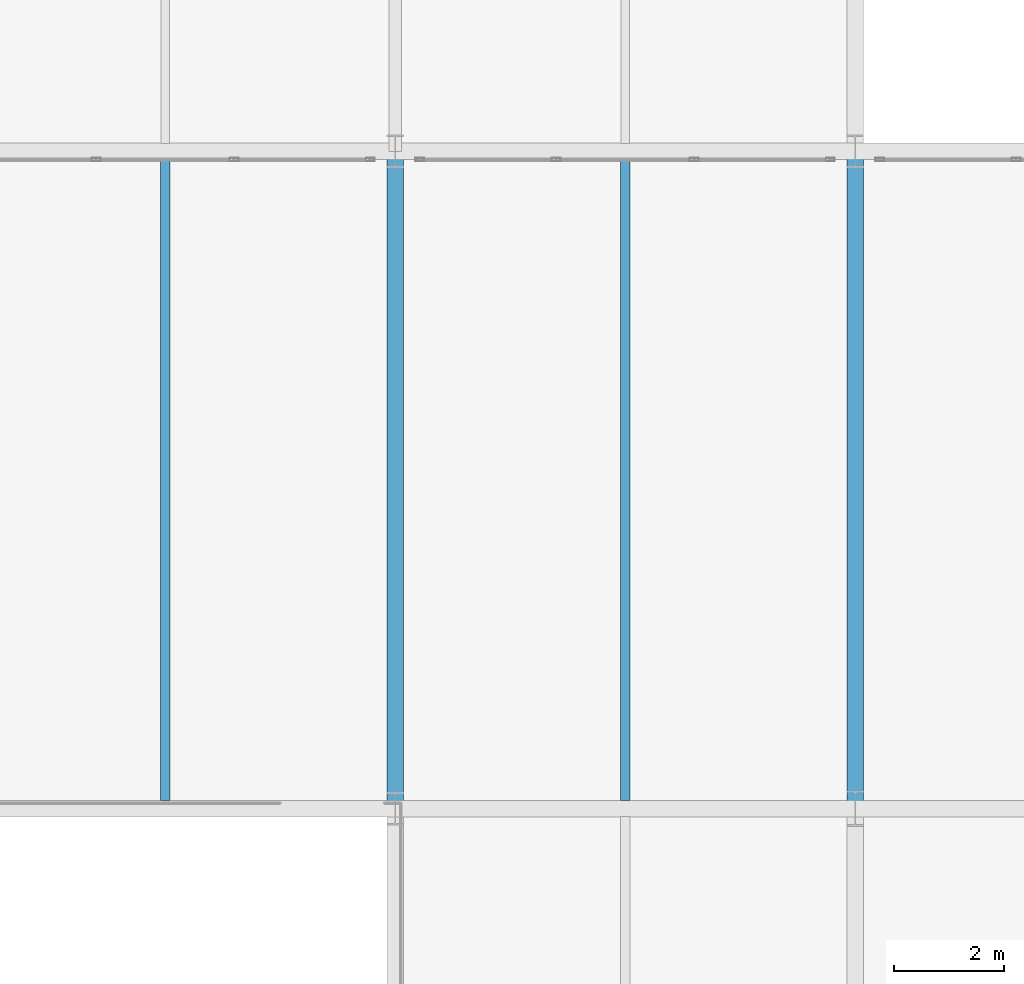
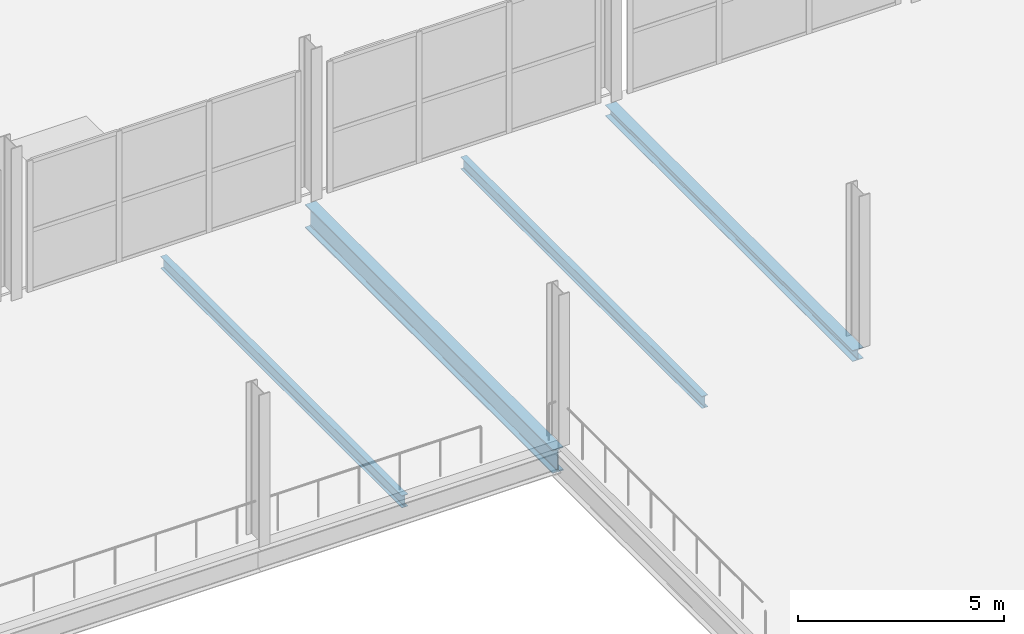
# One storey, part 73 of 130: 4 beams.
"""IFC4 building model written with IfcOpenShell, lengths in metres."""

from ifc_helpers import new_model, si_unit, direction, frame, origin, origin_2d, place, context, subcontext, project, spatial, i_section, extrude, material, material_profile, profile_set, type_object, element, save


model = new_model("IFC4")

# Units and contexts
model_context = context("Model", 3, precision=1e-05, world=origin(), true_north=direction((0.0, 1.0)))
body_context = subcontext(model_context, "Body", "Model", "MODEL_VIEW")
ifc_project = project(units=[si_unit("LENGTHUNIT", "METRE"), si_unit("AREAUNIT", "SQUARE_METRE"), si_unit("VOLUMEUNIT", "CUBIC_METRE"), si_unit("PLANEANGLEUNIT", "RADIAN"), si_unit("MASSUNIT", "GRAM", prefix="KILO")], contexts=[model_context])

# Site, building, storey
site_placement = place(None, origin())
site = spatial("IfcSite", under=ifc_project, at=site_placement, CompositionType="ELEMENT")
building_placement = place(site_placement, origin())
building = spatial("IfcBuilding", under=site, at=building_placement, Name="Veltarok Museum of Natural Sciences", CompositionType="ELEMENT")
storey_placement = place(building_placement, frame((0.0, 0.0, 12.89990234375)))
storey = spatial("IfcBuildingStorey", under=building, at=storey_placement, Name="L02", CompositionType="ELEMENT", Elevation=12.89990234375)

# Beams
ifc_material = material(Name="Steel S355J2", Category="steel")
ifc_material_profile_1 = material_profile(ifc_material, i_section(OverallWidth=0.169921875, OverallDepth=0.360107421875, WebThickness=0.008056640625, FlangeThickness=0.0126953125, FilletRadius=0.01806640625, at=origin_2d()), Name="IPE 360")
ifc_profile_set_1 = profile_set([ifc_material_profile_1], Name="Steel S355J2")
beam_type_1 = type_object("IfcBeamType", Name="Long-Bay Composite Joist IPE 360", PredefinedType="JOIST", material=ifc_profile_set_1)
for number, where, z_axis, x_axis, name in (
    (1, (69.39990234375, 60.14794921875, -0.429931640625), (0.0, 1.0, 0.0), (-1.0, 0.0, 0.0), "Secondary Joist BM-J01 L02 8-9/G-H.1"),
    (2, (77.800048828125, 60.14794921875, -0.429931640625), (0.0, 1.0, 0.0), (-1.0, 0.0, 0.0), "Secondary Joist BM-J01 L02 9-10/G-H.1"),
):
    element("IfcBeam", number, at=place(storey_placement, frame(where, z_axis=z_axis, x_axis=x_axis)), inside=storey, type_object=beam_type_1, Name=name, PredefinedType="JOIST", context=body_context, shape_type="SweptSolid", body=[
        extrude(i_section(OverallWidth=0.169921875, OverallDepth=0.360107421875, WebThickness=0.008056640625, FlangeThickness=0.0126953125, FilletRadius=0.01806640625, at=origin_2d()), origin(), (0.0, 0.0, 1.0), 11.7041015625),
    ])
ifc_material_profile_2 = material_profile(ifc_material, i_section(OverallWidth=0.300048828125, OverallDepth=0.699951171875, WebThickness=0.01708984375, FlangeThickness=0.031982421875, FilletRadius=0.027099609375, at=origin_2d()), Name="HEB 700")
ifc_profile_set_2 = profile_set([ifc_material_profile_2], Name="Steel S355J2")
beam_type_2 = type_object("IfcBeamType", Name="Long-Span Hall Girder HEB 700", PredefinedType="BEAM", material=ifc_profile_set_2)
beam_1_placement = place(storey_placement, frame((73.60009765625, 60.0, -0.599853515625), z_axis=(0.0, 1.0, 0.0), x_axis=(-1.0, 0.0, 0.0)))
element("IfcBeam", 3, at=beam_1_placement, inside=storey, type_object=beam_type_2, Name="Beam BM-G01 L02 9/G-H", PredefinedType="BEAM", context=body_context, shape_type="SweptSolid", body=[
    extrude(i_section(OverallWidth=0.300048828125, OverallDepth=0.699951171875, WebThickness=0.01708984375, FlangeThickness=0.031982421875, FilletRadius=0.027099609375, at=origin_2d()), origin(), (0.0, 0.0, 1.0), 12.0),
])
ifc_material_profile_3 = material_profile(ifc_material, i_section(OverallWidth=0.300048828125, OverallDepth=0.330078125, WebThickness=0.009521484375, FlangeThickness=0.0166015625, FilletRadius=0.027099609375, at=origin_2d()), Name="HEA 340")
ifc_profile_set_3 = profile_set([ifc_material_profile_3], Name="Steel S355J2")
beam_type_3 = type_object("IfcBeamType", Name="Perimeter Upper Spandrel HEA 340", PredefinedType="SPANDREL", material=ifc_profile_set_3)
beam_2_placement = place(storey_placement, frame((82.0, 60.0, -0.414794921875), z_axis=(0.0, 1.0, 0.0), x_axis=(-1.0, 0.0, 0.0)))
element("IfcBeam", 4, at=beam_2_placement, inside=storey, type_object=beam_type_3, Name="Beam BM-SP05 L02 10/G-H", PredefinedType="SPANDREL", context=body_context, shape_type="SweptSolid", body=[
    extrude(i_section(OverallWidth=0.300048828125, OverallDepth=0.330078125, WebThickness=0.009521484375, FlangeThickness=0.0166015625, FilletRadius=0.027099609375, at=origin_2d()), origin(), (0.0, 0.0, 1.0), 12.0),
])

save(model, "model.ifc")
